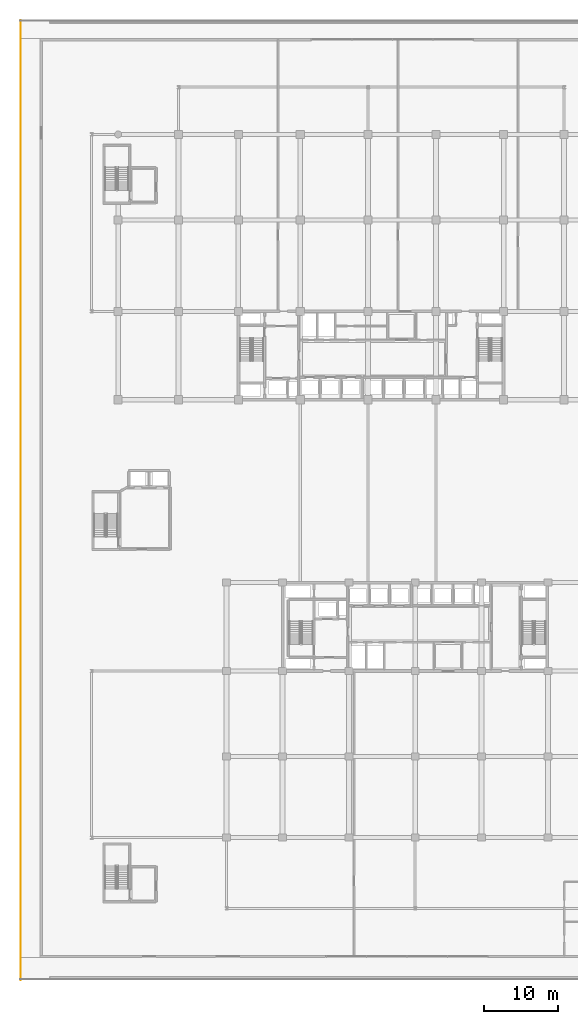
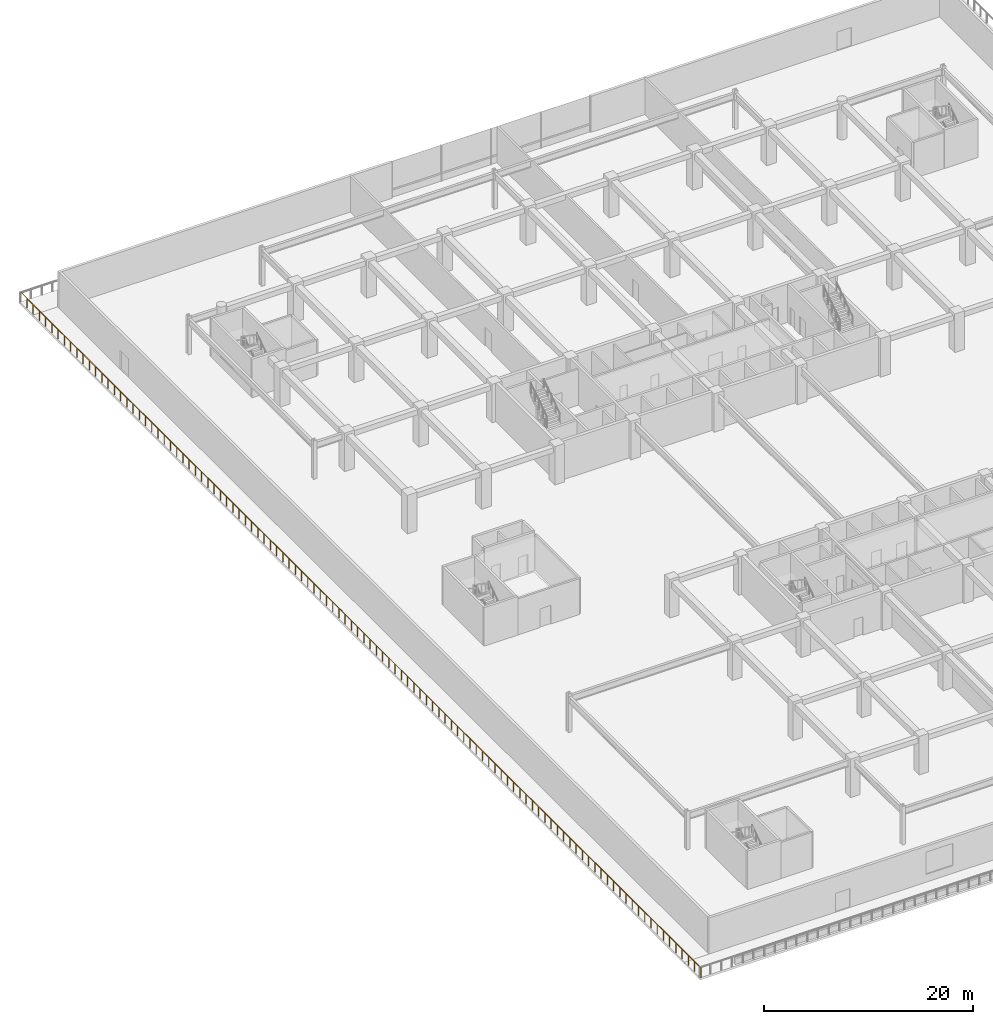
# One storey, part 37 of 43: 1 railing.
"""IFC4 building model written with IfcOpenShell, lengths in metres."""

from ifc_helpers import new_model, si_unit, direction, frame, origin, origin_2d, place, context, subcontext, project, spatial, circle, extrude, material, type_object, element, save


model = new_model("IFC4")

# Units and contexts
model_context = context("Model", 3, precision=1e-05, world=origin(), true_north=direction((0.0, 1.0)))
body_context = subcontext(model_context, "Body", "Model", "MODEL_VIEW")
ifc_project = project(units=[si_unit("LENGTHUNIT", "METRE"), si_unit("AREAUNIT", "SQUARE_METRE"), si_unit("VOLUMEUNIT", "CUBIC_METRE"), si_unit("PLANEANGLEUNIT", "RADIAN"), si_unit("MASSUNIT", "GRAM", prefix="KILO")], contexts=[model_context])

# Site, building, storey
site_placement = place(None, origin())
site = spatial("IfcSite", under=ifc_project, at=site_placement, CompositionType="ELEMENT")
building_placement = place(site_placement, origin())
building = spatial("IfcBuilding", under=site, at=building_placement, Name="Korimba Cascade Residences", CompositionType="ELEMENT")
storey_placement = place(building_placement, frame((0.0, 0.0, 10.0)))
storey = spatial("IfcBuildingStorey", under=building, at=storey_placement, Name="L02", CompositionType="ELEMENT", Elevation=10.0)

# Railing
ifc_material = material(Name="Painted Galvanised Steel Terrace Guardrail", Category="steel")
railing_type = type_object("IfcRailingType", Name="RLG-TER-1150", PredefinedType="GUARDRAIL", material=ifc_material)
railing_placement = place(storey_placement, frame((46.580078125, 106.699951171875, 0.0)))
element("IfcRailing", 1, at=railing_placement, inside=storey, type_object=railing_type, Name="L02 Perimeter Guardrail RLG-L02-TER-04", PredefinedType="GUARDRAIL", context=body_context, shape_type="SweptSolid", body=[
    extrude(circle(Radius=0.02392578125, at=origin_2d()), frame((0.0, 0.0, 1.1259765625), z_axis=(0.0, -1.0, 0.0), x_axis=(1.0, 0.0, 0.0)), (0.0, 0.0, 1.0), 130.199951171875),
    extrude(circle(Radius=0.02099609375, at=origin_2d()), origin(), (0.0, 0.0, 1.0), 1.101806640625),
    extrude(circle(Radius=0.02099609375, at=origin_2d()), frame((0.0, -1.194580078125, 0.0)), (0.0, 0.0, 1.0), 1.101806640625),
    extrude(circle(Radius=0.02099609375, at=origin_2d()), frame((0.0, -2.388916015625, 0.0)), (0.0, 0.0, 1.0), 1.101806640625),
    extrude(circle(Radius=0.02099609375, at=origin_2d()), frame((0.0, -3.58349609375, 0.0)), (0.0, 0.0, 1.0), 1.101806640625),
    extrude(circle(Radius=0.02099609375, at=origin_2d()), frame((0.0, -4.778076171875, 0.0)), (0.0, 0.0, 1.0), 1.101806640625),
    extrude(circle(Radius=0.02099609375, at=origin_2d()), frame((0.0, -5.972412109375, 0.0)), (0.0, 0.0, 1.0), 1.101806640625),
    extrude(circle(Radius=0.02099609375, at=origin_2d()), frame((0.0, -7.1669921875, 0.0)), (0.0, 0.0, 1.0), 1.101806640625),
    extrude(circle(Radius=0.02099609375, at=origin_2d()), frame((0.0, -8.361572265625, 0.0)), (0.0, 0.0, 1.0), 1.101806640625),
    extrude(circle(Radius=0.02099609375, at=origin_2d()), frame((0.0, -9.555908203125, 0.0)), (0.0, 0.0, 1.0), 1.101806640625),
    extrude(circle(Radius=0.02099609375, at=origin_2d()), frame((0.0, -10.75048828125, 0.0)), (0.0, 0.0, 1.0), 1.101806640625),
    extrude(circle(Radius=0.02099609375, at=origin_2d()), frame((0.0, -11.945068359375, 0.0)), (0.0, 0.0, 1.0), 1.101806640625),
    extrude(circle(Radius=0.02099609375, at=origin_2d()), frame((0.0, -13.139404296875, 0.0)), (0.0, 0.0, 1.0), 1.101806640625),
    extrude(circle(Radius=0.02099609375, at=origin_2d()), frame((0.0, -14.333984375, 0.0)), (0.0, 0.0, 1.0), 1.101806640625),
    extrude(circle(Radius=0.02099609375, at=origin_2d()), frame((0.0, -15.5283203125, 0.0)), (0.0, 0.0, 1.0), 1.101806640625),
    extrude(circle(Radius=0.02099609375, at=origin_2d()), frame((0.0, -16.722900390625, 0.0)), (0.0, 0.0, 1.0), 1.101806640625),
    extrude(circle(Radius=0.02099609375, at=origin_2d()), frame((0.0, -17.91748046875, 0.0)), (0.0, 0.0, 1.0), 1.101806640625),
    extrude(circle(Radius=0.02099609375, at=origin_2d()), frame((0.0, -19.11181640625, 0.0)), (0.0, 0.0, 1.0), 1.101806640625),
    extrude(circle(Radius=0.02099609375, at=origin_2d()), frame((0.0, -20.306396484375, 0.0)), (0.0, 0.0, 1.0), 1.101806640625),
    extrude(circle(Radius=0.02099609375, at=origin_2d()), frame((0.0, -21.5009765625, 0.0)), (0.0, 0.0, 1.0), 1.101806640625),
    extrude(circle(Radius=0.02099609375, at=origin_2d()), frame((0.0, -22.6953125, 0.0)), (0.0, 0.0, 1.0), 1.101806640625),
    extrude(circle(Radius=0.02099609375, at=origin_2d()), frame((0.0, -23.889892578125, 0.0)), (0.0, 0.0, 1.0), 1.101806640625),
    extrude(circle(Radius=0.02099609375, at=origin_2d()), frame((0.0, -25.08447265625, 0.0)), (0.0, 0.0, 1.0), 1.101806640625),
    extrude(circle(Radius=0.02099609375, at=origin_2d()), frame((0.0, -26.27880859375, 0.0)), (0.0, 0.0, 1.0), 1.101806640625),
    extrude(circle(Radius=0.02099609375, at=origin_2d()), frame((0.0, -27.473388671875, 0.0)), (0.0, 0.0, 1.0), 1.101806640625),
    extrude(circle(Radius=0.02099609375, at=origin_2d()), frame((0.0, -28.66796875, 0.0)), (0.0, 0.0, 1.0), 1.101806640625),
    extrude(circle(Radius=0.02099609375, at=origin_2d()), frame((0.0, -29.8623046875, 0.0)), (0.0, 0.0, 1.0), 1.101806640625),
    extrude(circle(Radius=0.02099609375, at=origin_2d()), frame((0.0, -31.056884765625, 0.0)), (0.0, 0.0, 1.0), 1.101806640625),
    extrude(circle(Radius=0.02099609375, at=origin_2d()), frame((0.0, -32.25146484375, 0.0)), (0.0, 0.0, 1.0), 1.101806640625),
    extrude(circle(Radius=0.02099609375, at=origin_2d()), frame((0.0, -33.44580078125, 0.0)), (0.0, 0.0, 1.0), 1.101806640625),
    extrude(circle(Radius=0.02099609375, at=origin_2d()), frame((0.0, -34.640380859375, 0.0)), (0.0, 0.0, 1.0), 1.101806640625),
    extrude(circle(Radius=0.02099609375, at=origin_2d()), frame((0.0, -35.8349609375, 0.0)), (0.0, 0.0, 1.0), 1.101806640625),
    extrude(circle(Radius=0.02099609375, at=origin_2d()), frame((0.0, -37.029296875, 0.0)), (0.0, 0.0, 1.0), 1.101806640625),
    extrude(circle(Radius=0.02099609375, at=origin_2d()), frame((0.0, -38.223876953125, 0.0)), (0.0, 0.0, 1.0), 1.101806640625),
    extrude(circle(Radius=0.02099609375, at=origin_2d()), frame((0.0, -39.418212890625, 0.0)), (0.0, 0.0, 1.0), 1.101806640625),
    extrude(circle(Radius=0.02099609375, at=origin_2d()), frame((0.0, -40.61279296875, 0.0)), (0.0, 0.0, 1.0), 1.101806640625),
    extrude(circle(Radius=0.02099609375, at=origin_2d()), frame((0.0, -41.807373046875, 0.0)), (0.0, 0.0, 1.0), 1.101806640625),
    extrude(circle(Radius=0.02099609375, at=origin_2d()), frame((0.0, -43.001708984375, 0.0)), (0.0, 0.0, 1.0), 1.101806640625),
    extrude(circle(Radius=0.02099609375, at=origin_2d()), frame((0.0, -44.1962890625, 0.0)), (0.0, 0.0, 1.0), 1.101806640625),
    extrude(circle(Radius=0.02099609375, at=origin_2d()), frame((0.0, -45.390869140625, 0.0)), (0.0, 0.0, 1.0), 1.101806640625),
    extrude(circle(Radius=0.02099609375, at=origin_2d()), frame((0.0, -46.585205078125, 0.0)), (0.0, 0.0, 1.0), 1.101806640625),
    extrude(circle(Radius=0.02099609375, at=origin_2d()), frame((0.0, -47.77978515625, 0.0)), (0.0, 0.0, 1.0), 1.101806640625),
    extrude(circle(Radius=0.02099609375, at=origin_2d()), frame((0.0, -48.974365234375, 0.0)), (0.0, 0.0, 1.0), 1.101806640625),
    extrude(circle(Radius=0.02099609375, at=origin_2d()), frame((0.0, -50.168701171875, 0.0)), (0.0, 0.0, 1.0), 1.101806640625),
    extrude(circle(Radius=0.02099609375, at=origin_2d()), frame((0.0, -51.36328125, 0.0)), (0.0, 0.0, 1.0), 1.101806640625),
    extrude(circle(Radius=0.02099609375, at=origin_2d()), frame((0.0, -52.557861328125, 0.0)), (0.0, 0.0, 1.0), 1.101806640625),
    extrude(circle(Radius=0.02099609375, at=origin_2d()), frame((0.0, -53.752197265625, 0.0)), (0.0, 0.0, 1.0), 1.101806640625),
    extrude(circle(Radius=0.02099609375, at=origin_2d()), frame((0.0, -54.94677734375, 0.0)), (0.0, 0.0, 1.0), 1.101806640625),
    extrude(circle(Radius=0.02099609375, at=origin_2d()), frame((0.0, -56.141357421875, 0.0)), (0.0, 0.0, 1.0), 1.101806640625),
    extrude(circle(Radius=0.02099609375, at=origin_2d()), frame((0.0, -57.335693359375, 0.0)), (0.0, 0.0, 1.0), 1.101806640625),
    extrude(circle(Radius=0.02099609375, at=origin_2d()), frame((0.0, -58.5302734375, 0.0)), (0.0, 0.0, 1.0), 1.101806640625),
    extrude(circle(Radius=0.02099609375, at=origin_2d()), frame((0.0, -59.724853515625, 0.0)), (0.0, 0.0, 1.0), 1.101806640625),
    extrude(circle(Radius=0.02099609375, at=origin_2d()), frame((0.0, -60.919189453125, 0.0)), (0.0, 0.0, 1.0), 1.101806640625),
    extrude(circle(Radius=0.02099609375, at=origin_2d()), frame((0.0, -62.11376953125, 0.0)), (0.0, 0.0, 1.0), 1.101806640625),
    extrude(circle(Radius=0.02099609375, at=origin_2d()), frame((0.0, -63.308349609375, 0.0)), (0.0, 0.0, 1.0), 1.101806640625),
    extrude(circle(Radius=0.02099609375, at=origin_2d()), frame((0.0, -64.502685546875, 0.0)), (0.0, 0.0, 1.0), 1.101806640625),
    extrude(circle(Radius=0.02099609375, at=origin_2d()), frame((0.0, -65.697265625, 0.0)), (0.0, 0.0, 1.0), 1.101806640625),
    extrude(circle(Radius=0.02099609375, at=origin_2d()), frame((0.0, -66.8916015625, 0.0)), (0.0, 0.0, 1.0), 1.101806640625),
    extrude(circle(Radius=0.02099609375, at=origin_2d()), frame((0.0, -68.086181640625, 0.0)), (0.0, 0.0, 1.0), 1.101806640625),
    extrude(circle(Radius=0.02099609375, at=origin_2d()), frame((0.0, -69.28076171875, 0.0)), (0.0, 0.0, 1.0), 1.101806640625),
    extrude(circle(Radius=0.02099609375, at=origin_2d()), frame((0.0, -70.47509765625, 0.0)), (0.0, 0.0, 1.0), 1.101806640625),
    extrude(circle(Radius=0.02099609375, at=origin_2d()), frame((0.0, -71.669677734375, 0.0)), (0.0, 0.0, 1.0), 1.101806640625),
    extrude(circle(Radius=0.02099609375, at=origin_2d()), frame((0.0, -72.8642578125, 0.0)), (0.0, 0.0, 1.0), 1.101806640625),
    extrude(circle(Radius=0.02099609375, at=origin_2d()), frame((0.0, -74.05859375, 0.0)), (0.0, 0.0, 1.0), 1.101806640625),
    extrude(circle(Radius=0.02099609375, at=origin_2d()), frame((0.0, -75.253173828125, 0.0)), (0.0, 0.0, 1.0), 1.101806640625),
    extrude(circle(Radius=0.02099609375, at=origin_2d()), frame((0.0, -76.44775390625, 0.0)), (0.0, 0.0, 1.0), 1.101806640625),
    extrude(circle(Radius=0.02099609375, at=origin_2d()), frame((0.0, -77.64208984375, 0.0)), (0.0, 0.0, 1.0), 1.101806640625),
    extrude(circle(Radius=0.02099609375, at=origin_2d()), frame((0.0, -78.836669921875, 0.0)), (0.0, 0.0, 1.0), 1.101806640625),
    extrude(circle(Radius=0.02099609375, at=origin_2d()), frame((0.0, -80.03125, 0.0)), (0.0, 0.0, 1.0), 1.101806640625),
    extrude(circle(Radius=0.02099609375, at=origin_2d()), frame((0.0, -81.2255859375, 0.0)), (0.0, 0.0, 1.0), 1.101806640625),
    extrude(circle(Radius=0.02099609375, at=origin_2d()), frame((0.0, -82.420166015625, 0.0)), (0.0, 0.0, 1.0), 1.101806640625),
    extrude(circle(Radius=0.02099609375, at=origin_2d()), frame((0.0, -83.61474609375, 0.0)), (0.0, 0.0, 1.0), 1.101806640625),
    extrude(circle(Radius=0.02099609375, at=origin_2d()), frame((0.0, -84.80908203125, 0.0)), (0.0, 0.0, 1.0), 1.101806640625),
    extrude(circle(Radius=0.02099609375, at=origin_2d()), frame((0.0, -86.003662109375, 0.0)), (0.0, 0.0, 1.0), 1.101806640625),
    extrude(circle(Radius=0.02099609375, at=origin_2d()), frame((0.0, -87.1982421875, 0.0)), (0.0, 0.0, 1.0), 1.101806640625),
    extrude(circle(Radius=0.02099609375, at=origin_2d()), frame((0.0, -88.392578125, 0.0)), (0.0, 0.0, 1.0), 1.101806640625),
    extrude(circle(Radius=0.02099609375, at=origin_2d()), frame((0.0, -89.587158203125, 0.0)), (0.0, 0.0, 1.0), 1.101806640625),
    extrude(circle(Radius=0.02099609375, at=origin_2d()), frame((0.0, -90.78173828125, 0.0)), (0.0, 0.0, 1.0), 1.101806640625),
    extrude(circle(Radius=0.02099609375, at=origin_2d()), frame((0.0, -91.97607421875, 0.0)), (0.0, 0.0, 1.0), 1.101806640625),
    extrude(circle(Radius=0.02099609375, at=origin_2d()), frame((0.0, -93.170654296875, 0.0)), (0.0, 0.0, 1.0), 1.101806640625),
    extrude(circle(Radius=0.02099609375, at=origin_2d()), frame((0.0, -94.364990234375, 0.0)), (0.0, 0.0, 1.0), 1.101806640625),
    extrude(circle(Radius=0.02099609375, at=origin_2d()), frame((0.0, -95.5595703125, 0.0)), (0.0, 0.0, 1.0), 1.101806640625),
    extrude(circle(Radius=0.02099609375, at=origin_2d()), frame((0.0, -96.754150390625, 0.0)), (0.0, 0.0, 1.0), 1.101806640625),
    extrude(circle(Radius=0.02099609375, at=origin_2d()), frame((0.0, -97.948486328125, 0.0)), (0.0, 0.0, 1.0), 1.101806640625),
    extrude(circle(Radius=0.02099609375, at=origin_2d()), frame((0.0, -99.14306640625, 0.0)), (0.0, 0.0, 1.0), 1.101806640625),
    extrude(circle(Radius=0.02099609375, at=origin_2d()), frame((0.0, -100.337646484375, 0.0)), (0.0, 0.0, 1.0), 1.101806640625),
    extrude(circle(Radius=0.02099609375, at=origin_2d()), frame((0.0, -101.531982421875, 0.0)), (0.0, 0.0, 1.0), 1.101806640625),
    extrude(circle(Radius=0.02099609375, at=origin_2d()), frame((0.0, -102.7265625, 0.0)), (0.0, 0.0, 1.0), 1.101806640625),
    extrude(circle(Radius=0.02099609375, at=origin_2d()), frame((0.0, -103.921142578125, 0.0)), (0.0, 0.0, 1.0), 1.101806640625),
    extrude(circle(Radius=0.02099609375, at=origin_2d()), frame((0.0, -105.115478515625, 0.0)), (0.0, 0.0, 1.0), 1.101806640625),
    extrude(circle(Radius=0.02099609375, at=origin_2d()), frame((0.0, -106.31005859375, 0.0)), (0.0, 0.0, 1.0), 1.101806640625),
    extrude(circle(Radius=0.02099609375, at=origin_2d()), frame((0.0, -107.504638671875, 0.0)), (0.0, 0.0, 1.0), 1.101806640625),
    extrude(circle(Radius=0.02099609375, at=origin_2d()), frame((0.0, -108.698974609375, 0.0)), (0.0, 0.0, 1.0), 1.101806640625),
    extrude(circle(Radius=0.02099609375, at=origin_2d()), frame((0.0, -109.8935546875, 0.0)), (0.0, 0.0, 1.0), 1.101806640625),
    extrude(circle(Radius=0.02099609375, at=origin_2d()), frame((0.0, -111.088134765625, 0.0)), (0.0, 0.0, 1.0), 1.101806640625),
    extrude(circle(Radius=0.02099609375, at=origin_2d()), frame((0.0, -112.282470703125, 0.0)), (0.0, 0.0, 1.0), 1.101806640625),
    extrude(circle(Radius=0.02099609375, at=origin_2d()), frame((0.0, -113.47705078125, 0.0)), (0.0, 0.0, 1.0), 1.101806640625),
    extrude(circle(Radius=0.02099609375, at=origin_2d()), frame((0.0, -114.671630859375, 0.0)), (0.0, 0.0, 1.0), 1.101806640625),
    extrude(circle(Radius=0.02099609375, at=origin_2d()), frame((0.0, -115.865966796875, 0.0)), (0.0, 0.0, 1.0), 1.101806640625),
    extrude(circle(Radius=0.02099609375, at=origin_2d()), frame((0.0, -117.060546875, 0.0)), (0.0, 0.0, 1.0), 1.101806640625),
    extrude(circle(Radius=0.02099609375, at=origin_2d()), frame((0.0, -118.2548828125, 0.0)), (0.0, 0.0, 1.0), 1.101806640625),
    extrude(circle(Radius=0.02099609375, at=origin_2d()), frame((0.0, -119.449462890625, 0.0)), (0.0, 0.0, 1.0), 1.101806640625),
    extrude(circle(Radius=0.02099609375, at=origin_2d()), frame((0.0, -120.64404296875, 0.0)), (0.0, 0.0, 1.0), 1.101806640625),
    extrude(circle(Radius=0.02099609375, at=origin_2d()), frame((0.0, -121.83837890625, 0.0)), (0.0, 0.0, 1.0), 1.101806640625),
    extrude(circle(Radius=0.02099609375, at=origin_2d()), frame((0.0, -123.032958984375, 0.0)), (0.0, 0.0, 1.0), 1.101806640625),
    extrude(circle(Radius=0.02099609375, at=origin_2d()), frame((0.0, -124.2275390625, 0.0)), (0.0, 0.0, 1.0), 1.101806640625),
    extrude(circle(Radius=0.02099609375, at=origin_2d()), frame((0.0, -125.421875, 0.0)), (0.0, 0.0, 1.0), 1.101806640625),
    extrude(circle(Radius=0.02099609375, at=origin_2d()), frame((0.0, -126.616455078125, 0.0)), (0.0, 0.0, 1.0), 1.101806640625),
    extrude(circle(Radius=0.02099609375, at=origin_2d()), frame((0.0, -127.81103515625, 0.0)), (0.0, 0.0, 1.0), 1.101806640625),
    extrude(circle(Radius=0.02099609375, at=origin_2d()), frame((0.0, -129.00537109375, 0.0)), (0.0, 0.0, 1.0), 1.101806640625),
    extrude(circle(Radius=0.02099609375, at=origin_2d()), frame((0.0, -130.199951171875, 0.0)), (0.0, 0.0, 1.0), 1.101806640625),
])

save(model, "model.ifc")
